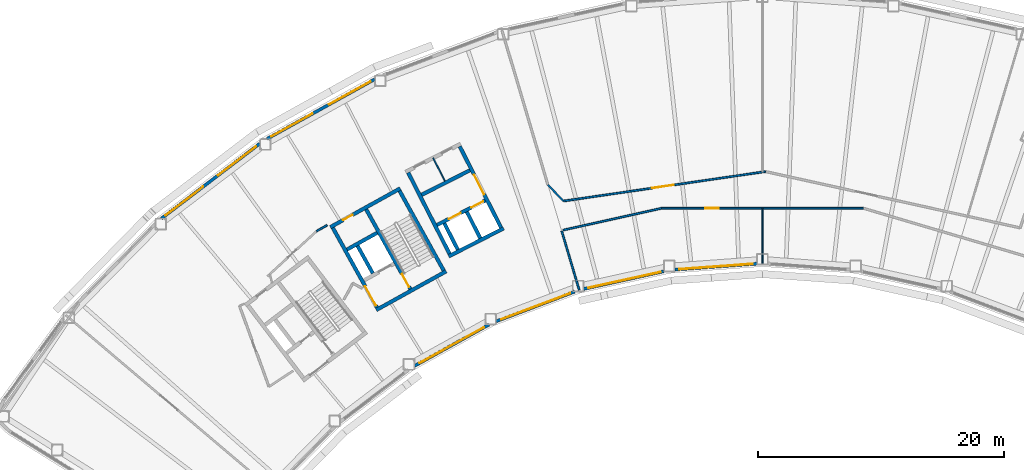
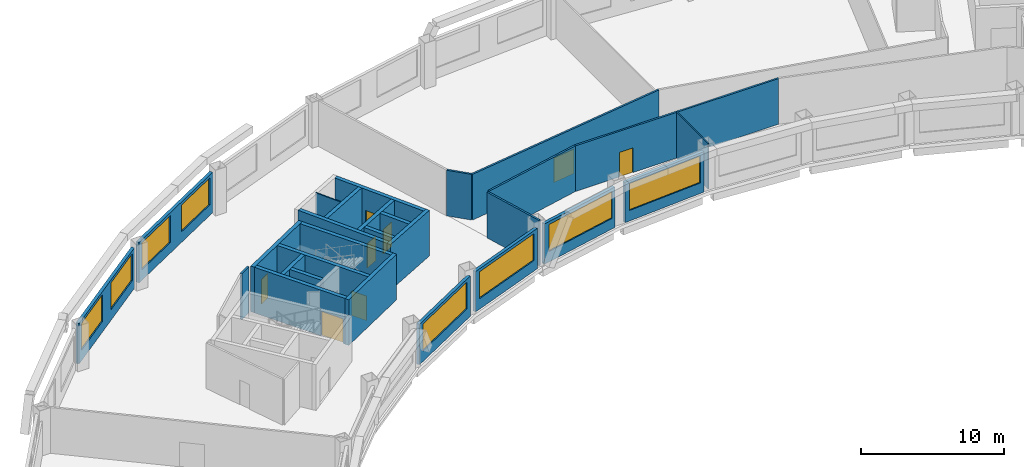
# One storey, part 6 of 12: 28 walls, 8 doors, 8 windows, 16 openings.
"""IFC4 building model written with IfcOpenShell, lengths in metres."""

from ifc_helpers import new_model, si_unit, direction, frame, frame_2d, origin, place, context, subcontext, project, spatial, rectangle, extrude, material, layer, layer_set, type_object, element, fill, save


model = new_model("IFC4")

# Units and contexts
model_context = context("Model", 3, precision=1e-05, world=origin(), true_north=direction((0.0, 1.0)))
body_context = subcontext(model_context, "Body", "Model", "MODEL_VIEW")
ifc_project = project(units=[si_unit("LENGTHUNIT", "METRE"), si_unit("AREAUNIT", "SQUARE_METRE"), si_unit("VOLUMEUNIT", "CUBIC_METRE"), si_unit("PLANEANGLEUNIT", "RADIAN"), si_unit("MASSUNIT", "GRAM", prefix="KILO")], contexts=[model_context])

# Site, building, storey
site_placement = place(None, origin())
site = spatial("IfcSite", under=ifc_project, at=site_placement, CompositionType="ELEMENT")
building_placement = place(site_placement, origin())
building = spatial("IfcBuilding", under=site, at=building_placement, Name="Tuul Gate Civic Tower", CompositionType="ELEMENT")
storey_placement = place(building_placement, frame((0.0, 0.0, 193.10009765625)))
storey = spatial("IfcBuildingStorey", under=building, at=storey_placement, Name="Level 44", CompositionType="ELEMENT", Elevation=193.10009765625)

# Walls
ifc_material_1 = material(Name="Concrete C50/60", Category="concrete")
ifc_layer_1 = layer(ifc_material_1, 0.300048828125)
ifc_layer_set_1 = layer_set([ifc_layer_1], Name="Concrete C50/60")
wall_type_1 = type_object("IfcWallType", Name="Core wall C50/60", PredefinedType="SHEAR", material=ifc_layer_set_1)
wall_1_placement = place(storey_placement, frame((-24.711669921875, -8.7158203125, 0.0), z_axis=(0.0, 0.0, 1.0), x_axis=(-0.874629909008, -0.484791215132, 0.0)))
element("IfcWall", 1, at=wall_1_placement, inside=storey, type_object=wall_type_1, Name="Core wall", PredefinedType="SHEAR", context=body_context, shape_type="SweptSolid", body=[
    extrude(rectangle(XDim=6.5, YDim=0.300048828125, at=frame_2d((3.25, 0.0))), origin(), (0.0, 0.0, 1.0), 3.89990234375),
])
wall_2_placement = place(storey_placement, frame((-30.327392578125, -5.59716796875, 0.0), z_axis=(0.0, 0.0, 1.0), x_axis=(-0.874629840737, -0.484791338301, 0.0)))
element("IfcWall", 2, at=wall_2_placement, inside=storey, type_object=wall_type_1, Name="Core wall", PredefinedType="SHEAR", context=body_context, shape_type="SweptSolid", body=[
    extrude(rectangle(XDim=2.800048828125, YDim=0.300048828125, at=frame_2d((1.39990234375, 0.0))), origin(), (0.0, 0.0, 1.0), 3.89990234375),
])

# Wall, opening, door
wall_3_placement = place(storey_placement, frame((-28.4443359375, -1.98095703125, 0.0), z_axis=(0.0, 0.0, 1.0), x_axis=(-0.874629909008, -0.484791215132, 0.0)))
wall_3 = element("IfcWall", 3, at=wall_3_placement, inside=storey, type_object=wall_type_1, Name="Core wall", PredefinedType="SHEAR", context=body_context, shape_type="SweptSolid", body=[
    extrude(rectangle(XDim=6.5, YDim=0.300048828125, at=frame_2d((3.25, 0.0))), origin(), (0.0, 0.0, 1.0), 3.89990234375),
])
opening_1_placement = place(wall_3_placement, frame((4.425048828125, 0.0, 0.0)))
opening_1 = element("IfcOpeningElement", 4, at=opening_1_placement, cuts=wall_3, Name="Opening P-D13", PredefinedType="OPENING", context=body_context, shape_type="SweptSolid", body=[
    extrude(rectangle(XDim=0.89990234375, YDim=2.10009765625, at=frame_2d((0.449951171875, 1.050048828125))), frame((0.0, 0.16015625, 0.0), z_axis=(0.0, -1.0, 0.0), x_axis=(1.0, 0.0, 0.0)), (0.0, 0.0, 1.0), 0.320068359375),
])
ifc_material_2 = material(Name="Timber door leaf", Category="wood")
door_type_1 = type_object("IfcDoorType", Name="Door D09", OperationType="NOTDEFINED", PredefinedType="DOOR", material=ifc_material_2)
door_1_placement = place(opening_1_placement, origin())
door_1 = element("IfcDoor", 5, at=door_1_placement, inside=storey, type_object=door_type_1, Name="Door P-D13", OperationType="SINGLE_SWING_LEFT", OverallHeight=2.10009765625, OverallWidth=0.89990234375, PredefinedType="DOOR", context=body_context, shape_type="SweptSolid", body=[
    extrude(rectangle(XDim=0.89990234375, YDim=2.10009765625, at=frame_2d((0.449951171875, 1.050048828125))), frame((0.0, 0.02490234375, 0.0), z_axis=(0.0, -1.0, 0.0), x_axis=(1.0, 0.0, 0.0)), (0.0, 0.0, 1.0), 0.050048828125),
])
fill(opening_1, door_1)

# Wall
wall_4_placement = place(storey_placement, frame((-24.91552734375, -8.6572265625, 0.0), z_axis=(0.0, 0.0, 1.0), x_axis=(-0.484777133038, 0.874637714304, 0.0)))
element("IfcWall", 6, at=wall_4_placement, inside=storey, type_object=wall_type_1, Name="Core wall", PredefinedType="SHEAR", context=body_context, shape_type="SweptSolid", body=[
    extrude(rectangle(XDim=7.400146484375, YDim=0.300048828125, at=frame_2d((3.7001953125, 0.0))), origin(), (0.0, 0.0, 1.0), 3.89990234375),
])

# Wall, opening, door
wall_5_placement = place(storey_placement, frame((-27.626953125, -10.16015625, 0.0), z_axis=(0.0, 0.0, 1.0), x_axis=(-0.484751894226, 0.874651702704, 0.0)))
wall_5 = element("IfcWall", 7, at=wall_5_placement, inside=storey, type_object=wall_type_1, Name="Core wall", PredefinedType="SHEAR", context=body_context, shape_type="SweptSolid", body=[
    extrude(rectangle(XDim=7.39990234375, YDim=0.300048828125, at=frame_2d((3.699951171875, 0.0))), origin(), (0.0, 0.0, 1.0), 3.89990234375),
])
opening_2_placement = place(wall_5_placement, frame((0.199951171875, 0.0, 0.0)))
opening_2 = element("IfcOpeningElement", 8, at=opening_2_placement, cuts=wall_5, Name="Opening SD-ST-2", PredefinedType="OPENING", context=body_context, shape_type="SweptSolid", body=[
    extrude(rectangle(XDim=1.199951171875, YDim=2.10009765625, at=frame_2d((0.60009765625, 1.050048828125))), frame((0.0, 0.16015625, 0.0), z_axis=(0.0, -1.0, 0.0), x_axis=(1.0, 0.0, 0.0)), (0.0, 0.0, 1.0), 0.320068359375),
])
ifc_material_3 = material(Name="Steel", Category="steel")
door_type_2 = type_object("IfcDoorType", Name="Stair door", OperationType="NOTDEFINED", PredefinedType="DOOR", material=ifc_material_3)
door_2_placement = place(opening_2_placement, origin())
door_2 = element("IfcDoor", 9, at=door_2_placement, inside=storey, type_object=door_type_2, Name="Stair door ST-2", OperationType="SINGLE_SWING_LEFT", OverallHeight=2.10009765625, OverallWidth=1.199951171875, PredefinedType="DOOR", context=body_context, shape_type="SweptSolid", body=[
    extrude(rectangle(XDim=1.199951171875, YDim=2.10009765625, at=frame_2d((0.60009765625, 1.050048828125))), frame((0.0, 0.02490234375, 0.0), z_axis=(0.0, -1.0, 0.0), x_axis=(1.0, 0.0, 0.0)), (0.0, 0.0, 1.0), 0.050048828125),
])
fill(opening_2, door_2)

# Wall
wall_6_placement = place(storey_placement, frame((-30.680419921875, -8.8798828125, 0.0), z_axis=(0.0, 0.0, 1.0), x_axis=(-0.484724115216, 0.874667097888, 0.0)))
element("IfcWall", 10, at=wall_6_placement, inside=storey, type_object=wall_type_1, Name="Core wall", PredefinedType="SHEAR", context=body_context, shape_type="SweptSolid", body=[
    extrude(rectangle(XDim=2.550048828125, YDim=0.300048828125, at=frame_2d((1.27490234375, 0.0))), origin(), (0.0, 0.0, 1.0), 3.89990234375),
])

# Wall, opening, door
wall_7_placement = place(storey_placement, frame((-30.33837890625, -11.6630859375, 0.0), z_axis=(0.0, 0.0, 1.0), x_axis=(-0.484751894226, 0.874651702704, 0.0)))
wall_7 = element("IfcWall", 11, at=wall_7_placement, inside=storey, type_object=wall_type_1, Name="Core wall", PredefinedType="SHEAR", context=body_context, shape_type="SweptSolid", body=[
    extrude(rectangle(XDim=7.39990234375, YDim=0.300048828125, at=frame_2d((3.699951171875, 0.0))), origin(), (0.0, 0.0, 1.0), 3.89990234375),
])
opening_3_placement = place(wall_7_placement, frame((0.175048828125, 0.0, 0.0)))
opening_3 = element("IfcOpeningElement", 12, at=opening_3_placement, cuts=wall_7, Name="Opening LB-W2-FLOBBY-1", PredefinedType="OPENING", context=body_context, shape_type="SweptSolid", body=[
    extrude(rectangle(XDim=1.800048828125, YDim=2.10009765625, at=frame_2d((0.89990234375, 1.050048828125))), frame((0.0, 0.16015625, 0.0), z_axis=(0.0, -1.0, 0.0), x_axis=(1.0, 0.0, 0.0)), (0.0, 0.0, 1.0), 0.320068359375),
])
ifc_material_4 = material(Name="Steel", Category="steel")
door_type_3 = type_object("IfcDoorType", Name="Lobby door", OperationType="DOUBLE_DOOR_SINGLE_SWING", PredefinedType="DOOR", material=ifc_material_4)
door_3_placement = place(opening_3_placement, origin())
door_3 = element("IfcDoor", 13, at=door_3_placement, inside=storey, type_object=door_type_3, Name="Lobby door W2-FLOBBY", OperationType="DOUBLE_DOOR_SINGLE_SWING", OverallHeight=2.10009765625, OverallWidth=1.800048828125, PredefinedType="DOOR", context=body_context, shape_type="SweptSolid", body=[
    extrude(rectangle(XDim=1.800048828125, YDim=2.10009765625, at=frame_2d((0.89990234375, 1.050048828125))), frame((0.0, 0.02490234375, 0.0), z_axis=(0.0, -1.0, 0.0), x_axis=(1.0, 0.0, 0.0)), (0.0, 0.0, 1.0), 0.050048828125),
])
fill(opening_3, door_3)

ifc_material_5 = material(Name="Gypsum board partition")
ifc_layer_2 = layer(ifc_material_5, 0.14990234375)
ifc_layer_set_2 = layer_set([ifc_layer_2], Name="Gypsum board partition")
wall_type_2 = type_object("IfcWallType", Name="Corridor wall P150", PredefinedType="PARTITIONING", material=ifc_layer_set_2)
wall_8_placement = place(storey_placement, frame((-7.22119140625, -3.59814453125, 0.0), z_axis=(0.0, 0.0, 1.0), x_axis=(0.999999999558, 2.9735797e-05, 0.0)))
wall_8 = element("IfcWall", 14, at=wall_8_placement, inside=storey, type_object=wall_type_2, Name="p014", PredefinedType="PARTITIONING", context=body_context, shape_type="SweptSolid", body=[
    extrude(rectangle(XDim=16.420654296875, YDim=0.14990234375, at=frame_2d((8.21044921875, 0.0))), origin(), (0.0, 0.0, 1.0), 3.89990234375),
])
opening_4_placement = place(wall_8_placement, frame((3.5556640625, 0.0, 0.0)))
opening_4 = element("IfcOpeningElement", 15, at=opening_4_placement, cuts=wall_8, Name="Opening P-D07", PredefinedType="OPENING", context=body_context, shape_type="SweptSolid", body=[
    extrude(rectangle(XDim=1.10009765625, YDim=2.10009765625, at=frame_2d((0.550048828125, 1.050048828125))), frame((0.0, 0.0849609375, 0.0), z_axis=(0.0, -1.0, 0.0), x_axis=(1.0, 0.0, 0.0)), (0.0, 0.0, 1.0), 0.169921875),
])
ifc_material_6 = material(Name="Timber door leaf", Category="wood")
door_type_4 = type_object("IfcDoorType", Name="Door D11", OperationType="NOTDEFINED", PredefinedType="DOOR", material=ifc_material_6)
door_4_placement = place(opening_4_placement, frame((1.10009765625, 0.0, 0.0), z_axis=(0.0, 0.0, 1.0), x_axis=(-1.0, 0.0, 0.0)))
door_4 = element("IfcDoor", 16, at=door_4_placement, inside=storey, type_object=door_type_4, Name="Door P-D07", OperationType="SINGLE_SWING_LEFT", OverallHeight=2.10009765625, OverallWidth=1.10009765625, PredefinedType="DOOR", context=body_context, shape_type="SweptSolid", body=[
    extrude(rectangle(XDim=1.10009765625, YDim=2.10009765625, at=frame_2d((0.550048828125, 1.050048828125))), frame((0.0, 0.02490234375, 0.0), z_axis=(0.0, -1.0, 0.0), x_axis=(1.0, 0.0, 0.0)), (0.0, 0.0, 1.0), 0.050048828125),
])
fill(opening_4, door_4)

wall_9_placement = place(storey_placement, frame((-15.178955078125, -3.010498046875, 0.0), z_axis=(0.0, 0.0, 1.0), x_axis=(0.989534381155, 0.144297292115, 0.0)))
wall_9 = element("IfcWall", 17, at=wall_9_placement, inside=storey, type_object=wall_type_2, Name="p025", PredefinedType="PARTITIONING", context=body_context, shape_type="SweptSolid", body=[
    extrude(rectangle(XDim=16.599609375, YDim=0.14990234375, at=frame_2d((8.2998046875, 0.0))), origin(), (0.0, 0.0, 1.0), 3.89990234375),
])
opening_5_placement = place(wall_9_placement, frame((7.27001953125, 0.0, 0.0)))
opening_5 = element("IfcOpeningElement", 18, at=opening_5_placement, cuts=wall_9, Name="Opening P-D08", PredefinedType="OPENING", context=body_context, shape_type="SweptSolid", body=[
    extrude(rectangle(XDim=1.800048828125, YDim=2.10009765625, at=frame_2d((0.89990234375, 1.050048828125))), frame((0.0, 0.0849609375, 0.0), z_axis=(0.0, -1.0, 0.0), x_axis=(1.0, 0.0, 0.0)), (0.0, 0.0, 1.0), 0.169921875),
])
ifc_material_7 = material(Name="Timber door leaf, double", Category="wood")
door_type_5 = type_object("IfcDoorType", Name="Door D18", OperationType="DOUBLE_DOOR_SINGLE_SWING", PredefinedType="DOOR", material=ifc_material_7)
door_5_placement = place(opening_5_placement, origin())
door_5 = element("IfcDoor", 19, at=door_5_placement, inside=storey, type_object=door_type_5, Name="Door P-D08", OperationType="DOUBLE_DOOR_SINGLE_SWING", OverallHeight=2.10009765625, OverallWidth=1.800048828125, PredefinedType="DOOR", context=body_context, shape_type="SweptSolid", body=[
    extrude(rectangle(XDim=1.800048828125, YDim=2.10009765625, at=frame_2d((0.89990234375, 1.050048828125))), frame((0.0, 0.02490234375, 0.0), z_axis=(0.0, -1.0, 0.0), x_axis=(1.0, 0.0, 0.0)), (0.0, 0.0, 1.0), 0.050048828125),
])
fill(opening_5, door_5)

# Walls
wall_10_placement = place(storey_placement, frame((-15.3232421875, -5.461669921875, 0.0), z_axis=(0.0, 0.0, 1.0), x_axis=(0.285221995485, -0.958461482425, 0.0)))
element("IfcWall", 20, at=wall_10_placement, inside=storey, type_object=wall_type_2, Name="p028", PredefinedType="PARTITIONING", context=body_context, shape_type="SweptSolid", body=[
    extrude(rectangle(XDim=4.985107421875, YDim=0.14990234375, at=frame_2d((2.49267578125, 0.0))), origin(), (0.0, 0.0, 1.0), 3.89990234375),
])
wall_11_placement = place(storey_placement, frame((-15.2099609375, -5.3759765625, 0.0), z_axis=(0.0, 0.0, 1.0), x_axis=(0.976108341033, 0.217284390983, 0.0)))
element("IfcWall", 21, at=wall_11_placement, inside=storey, type_object=wall_type_2, Name="p029", PredefinedType="PARTITIONING", context=body_context, shape_type="SweptSolid", body=[
    extrude(rectangle(XDim=8.1796875, YDim=0.14990234375, at=frame_2d((4.08984375, 0.0))), origin(), (0.0, 0.0, 1.0), 3.89990234375),
])
wall_12_placement = place(storey_placement, frame((-16.4453125, -1.690673828125, 0.0), z_axis=(0.0, 0.0, 1.0), x_axis=(0.688968865463, -0.724790937045, 0.0)))
element("IfcWall", 22, at=wall_12_placement, inside=storey, type_object=wall_type_2, Name="p030", PredefinedType="PARTITIONING", context=body_context, shape_type="SweptSolid", body=[
    extrude(rectangle(XDim=1.81298828125, YDim=0.14990234375, at=frame_2d((0.906494140625, 0.0))), origin(), (0.0, 0.0, 1.0), 3.89990234375),
])
wall_13_placement = place(storey_placement, frame((-35.253173828125, -5.46630859375, 0.0), z_axis=(0.0, 0.0, 1.0), x_axis=(0.866287736438, 0.499545350992, 0.0)))
element("IfcWall", 23, at=wall_13_placement, inside=storey, type_object=wall_type_2, Name="p032", PredefinedType="PARTITIONING", context=body_context, shape_type="SweptSolid", body=[
    extrude(rectangle(XDim=0.99462890625, YDim=0.14990234375, at=frame_2d((0.497314453125, 0.0))), origin(), (0.0, 0.0, 1.0), 3.89990234375),
])

# Wall, openings, windows
ifc_material_8 = material(Name="Precast concrete C40/50", Category="concrete")
ifc_layer_3 = layer(ifc_material_8, 0.25)
ifc_layer_set_3 = layer_set([ifc_layer_3], Name="Precast concrete C40/50")
wall_type_3 = type_object("IfcWallType", Name="External wall", PredefinedType="STANDARD", material=ifc_layer_set_3)
wall_14_placement = place(storey_placement, frame((-30.52392578125, 6.891357421875, 0.0), z_axis=(0.0, 0.0, 1.0), x_axis=(-0.874633566806, -0.484784615903, 0.0)))
wall_14 = element("IfcWall", 24, at=wall_14_placement, inside=storey, type_object=wall_type_3, Name="External wall", PredefinedType="STANDARD", context=body_context, shape_type="SweptSolid", body=[
    extrude(rectangle(XDim=10.001220703125, YDim=0.25, at=frame_2d((5.00048828125, 0.0))), origin(), (0.0, 0.0, 1.0), 3.449951171875),
])
opening_6_placement = place(wall_14_placement, frame((0.39306640625, 0.0, 0.89990234375)))
opening_6 = element("IfcOpeningElement", 25, at=opening_6_placement, cuts=wall_14, Name="Opening W22", PredefinedType="OPENING", context=body_context, shape_type="SweptSolid", body=[
    extrude(rectangle(XDim=3.85009765625, YDim=2.300048828125, at=frame_2d((1.925048828125, 1.14990234375))), frame((0.0, 0.135009765625, 0.0), z_axis=(0.0, -1.0, 0.0), x_axis=(1.0, 0.0, 0.0)), (0.0, 0.0, 1.0), 0.27001953125),
])
opening_7_placement = place(wall_14_placement, frame((5.764404296875, 0.0, 0.89990234375)))
opening_7 = element("IfcOpeningElement", 26, at=opening_7_placement, cuts=wall_14, Name="Opening W22", PredefinedType="OPENING", context=body_context, shape_type="SweptSolid", body=[
    extrude(rectangle(XDim=3.85009765625, YDim=2.300048828125, at=frame_2d((1.925048828125, 1.14990234375))), frame((0.0, 0.135009765625, 0.0), z_axis=(0.0, -1.0, 0.0), x_axis=(1.0, 0.0, 0.0)), (0.0, 0.0, 1.0), 0.27001953125),
])
ifc_material_9 = material(Name="Glass", Category="glass")
window_type_1 = type_object("IfcWindowType", Name="Window W22 3850 x 2300", PartitioningType="SINGLE_PANEL", PredefinedType="WINDOW", material=ifc_material_9)
window_1_placement = place(opening_6_placement, origin())
window_1 = element("IfcWindow", 27, at=window_1_placement, inside=storey, type_object=window_type_1, Name="Window", OverallHeight=2.300048828125, OverallWidth=3.85009765625, PartitioningType="SINGLE_PANEL", PredefinedType="WINDOW", context=body_context, shape_type="SweptSolid", body=[
    extrude(rectangle(XDim=3.85009765625, YDim=2.300048828125, at=frame_2d((1.925048828125, 1.14990234375))), frame((0.0, 0.030029296875, 0.0), z_axis=(0.0, -1.0, 0.0), x_axis=(1.0, 0.0, 0.0)), (0.0, 0.0, 1.0), 0.06005859375),
])
fill(opening_6, window_1)
window_2_placement = place(opening_7_placement, origin())
window_2 = element("IfcWindow", 28, at=window_2_placement, inside=storey, type_object=window_type_1, Name="Window", OverallHeight=2.300048828125, OverallWidth=3.85009765625, PartitioningType="SINGLE_PANEL", PredefinedType="WINDOW", context=body_context, shape_type="SweptSolid", body=[
    extrude(rectangle(XDim=3.85009765625, YDim=2.300048828125, at=frame_2d((1.925048828125, 1.14990234375))), frame((0.0, 0.030029296875, 0.0), z_axis=(0.0, -1.0, 0.0), x_axis=(1.0, 0.0, 0.0)), (0.0, 0.0, 1.0), 0.06005859375),
])
fill(opening_7, window_2)

wall_15_placement = place(storey_placement, frame((-39.862060546875, 1.659423828125, 0.0), z_axis=(0.0, 0.0, 1.0), x_axis=(-0.795600211162, -0.605822006862, 0.0)))
wall_15 = element("IfcWall", 29, at=wall_15_placement, inside=storey, type_object=wall_type_3, Name="External wall", PredefinedType="STANDARD", context=body_context, shape_type="SweptSolid", body=[
    extrude(rectangle(XDim=10.043212890625, YDim=0.25, at=frame_2d((5.021484375, 0.0))), origin(), (0.0, 0.0, 1.0), 3.449951171875),
])
opening_8_placement = place(wall_15_placement, frame((0.410400390625, 0.0, 0.89990234375)))
opening_8 = element("IfcOpeningElement", 30, at=opening_8_placement, cuts=wall_15, Name="Opening W22", PredefinedType="OPENING", context=body_context, shape_type="SweptSolid", body=[
    extrude(rectangle(XDim=3.85009765625, YDim=2.300048828125, at=frame_2d((1.925048828125, 1.14990234375))), frame((0.0, 0.135009765625, 0.0), z_axis=(0.0, -1.0, 0.0), x_axis=(1.0, 0.0, 0.0)), (0.0, 0.0, 1.0), 0.27001953125),
])
opening_9_placement = place(wall_15_placement, frame((5.78173828125, 0.0, 0.89990234375)))
opening_9 = element("IfcOpeningElement", 31, at=opening_9_placement, cuts=wall_15, Name="Opening W22", PredefinedType="OPENING", context=body_context, shape_type="SweptSolid", body=[
    extrude(rectangle(XDim=3.85009765625, YDim=2.300048828125, at=frame_2d((1.925048828125, 1.14990234375))), frame((0.0, 0.135009765625, 0.0), z_axis=(0.0, -1.0, 0.0), x_axis=(1.0, 0.0, 0.0)), (0.0, 0.0, 1.0), 0.27001953125),
])
window_3_placement = place(opening_8_placement, origin())
window_3 = element("IfcWindow", 32, at=window_3_placement, inside=storey, type_object=window_type_1, Name="Window", OverallHeight=2.300048828125, OverallWidth=3.85009765625, PartitioningType="SINGLE_PANEL", PredefinedType="WINDOW", context=body_context, shape_type="SweptSolid", body=[
    extrude(rectangle(XDim=3.85009765625, YDim=2.300048828125, at=frame_2d((1.925048828125, 1.14990234375))), frame((0.0, 0.030029296875, 0.0), z_axis=(0.0, -1.0, 0.0), x_axis=(1.0, 0.0, 0.0)), (0.0, 0.0, 1.0), 0.06005859375),
])
fill(opening_8, window_3)
window_4_placement = place(opening_9_placement, origin())
window_4 = element("IfcWindow", 33, at=window_4_placement, inside=storey, type_object=window_type_1, Name="Window", OverallHeight=2.300048828125, OverallWidth=3.85009765625, PartitioningType="SINGLE_PANEL", PredefinedType="WINDOW", context=body_context, shape_type="SweptSolid", body=[
    extrude(rectangle(XDim=3.85009765625, YDim=2.300048828125, at=frame_2d((1.925048828125, 1.14990234375))), frame((0.0, 0.030029296875, 0.0), z_axis=(0.0, -1.0, 0.0), x_axis=(1.0, 0.0, 0.0)), (0.0, 0.0, 1.0), 0.06005859375),
])
fill(opening_9, window_4)

# Wall, opening, window
wall_16_placement = place(storey_placement, frame((-27.287109375, -16.41064453125, 0.0), z_axis=(0.0, 0.0, 1.0), x_axis=(0.874626480016, 0.484797401452, 0.0)))
wall_16 = element("IfcWall", 34, at=wall_16_placement, inside=storey, type_object=wall_type_3, Name="External wall", PredefinedType="STANDARD", context=body_context, shape_type="SweptSolid", body=[
    extrude(rectangle(XDim=6.915283203125, YDim=0.25, at=frame_2d((3.45751953125, 0.0))), origin(), (0.0, 0.0, 1.0), 3.449951171875),
])
opening_10_placement = place(wall_16_placement, frame((0.4619140625, 0.0, 0.89990234375)))
opening_10 = element("IfcOpeningElement", 35, at=opening_10_placement, cuts=wall_16, Name="Opening W26", PredefinedType="OPENING", context=body_context, shape_type="SweptSolid", body=[
    extrude(rectangle(XDim=6.0, YDim=2.300048828125, at=frame_2d((3.0, 1.14990234375))), frame((0.0, 0.135009765625, 0.0), z_axis=(0.0, -1.0, 0.0), x_axis=(1.0, 0.0, 0.0)), (0.0, 0.0, 1.0), 0.27001953125),
])
ifc_material_10 = material(Name="Glass", Category="glass")
window_type_2 = type_object("IfcWindowType", Name="Window W26 6000 x 2300", PartitioningType="SINGLE_PANEL", PredefinedType="WINDOW", material=ifc_material_10)
window_5_placement = place(opening_10_placement, origin())
window_5 = element("IfcWindow", 36, at=window_5_placement, inside=storey, type_object=window_type_2, Name="Window", OverallHeight=2.300048828125, OverallWidth=6.0, PartitioningType="SINGLE_PANEL", PredefinedType="WINDOW", context=body_context, shape_type="SweptSolid", body=[
    extrude(rectangle(XDim=6.0, YDim=2.300048828125, at=frame_2d((3.0, 1.14990234375))), frame((0.0, 0.030029296875, 0.0), z_axis=(0.0, -1.0, 0.0), x_axis=(1.0, 0.0, 0.0)), (0.0, 0.0, 1.0), 0.06005859375),
])
fill(opening_10, window_5)

wall_17_placement = place(storey_placement, frame((-20.64697265625, -12.78515625, 0.0), z_axis=(0.0, 0.0, 1.0), x_axis=(0.935360534404, 0.353695731779, 0.0)))
wall_17 = element("IfcWall", 37, at=wall_17_placement, inside=storey, type_object=wall_type_3, Name="External wall", PredefinedType="STANDARD", context=body_context, shape_type="SweptSolid", body=[
    extrude(rectangle(XDim=6.81982421875, YDim=0.25, at=frame_2d((3.409912109375, 0.0))), origin(), (0.0, 0.0, 1.0), 3.449951171875),
])
opening_11_placement = place(wall_17_placement, frame((0.43798828125, 0.0, 0.89990234375)))
opening_11 = element("IfcOpeningElement", 38, at=opening_11_placement, cuts=wall_17, Name="Opening W26", PredefinedType="OPENING", context=body_context, shape_type="SweptSolid", body=[
    extrude(rectangle(XDim=6.0, YDim=2.300048828125, at=frame_2d((3.0, 1.14990234375))), frame((0.0, 0.135009765625, 0.0), z_axis=(0.0, -1.0, 0.0), x_axis=(1.0, 0.0, 0.0)), (0.0, 0.0, 1.0), 0.27001953125),
])
window_6_placement = place(opening_11_placement, origin())
window_6 = element("IfcWindow", 39, at=window_6_placement, inside=storey, type_object=window_type_2, Name="Window", OverallHeight=2.300048828125, OverallWidth=6.0, PartitioningType="SINGLE_PANEL", PredefinedType="WINDOW", context=body_context, shape_type="SweptSolid", body=[
    extrude(rectangle(XDim=6.0, YDim=2.300048828125, at=frame_2d((3.0, 1.14990234375))), frame((0.0, 0.030029296875, 0.0), z_axis=(0.0, -1.0, 0.0), x_axis=(1.0, 0.0, 0.0)), (0.0, 0.0, 1.0), 0.06005859375),
])
fill(opening_11, window_6)

wall_18_placement = place(storey_placement, frame((-13.5458984375, -10.15625, 0.0), z_axis=(0.0, 0.0, 1.0), x_axis=(0.976558520258, 0.21525207667, 0.0)))
wall_18 = element("IfcWall", 40, at=wall_18_placement, inside=storey, type_object=wall_type_3, Name="External wall", PredefinedType="STANDARD", context=body_context, shape_type="SweptSolid", body=[
    extrude(rectangle(XDim=6.670166015625, YDim=0.25, at=frame_2d((3.3349609375, 0.0))), origin(), (0.0, 0.0, 1.0), 3.449951171875),
])
opening_12_placement = place(wall_18_placement, frame((0.406982421875, 0.0, 0.89990234375)))
opening_12 = element("IfcOpeningElement", 41, at=opening_12_placement, cuts=wall_18, Name="Opening W26", PredefinedType="OPENING", context=body_context, shape_type="SweptSolid", body=[
    extrude(rectangle(XDim=6.0, YDim=2.300048828125, at=frame_2d((3.0, 1.14990234375))), frame((0.0, 0.135009765625, 0.0), z_axis=(0.0, -1.0, 0.0), x_axis=(1.0, 0.0, 0.0)), (0.0, 0.0, 1.0), 0.27001953125),
])
window_7_placement = place(opening_12_placement, origin())
window_7 = element("IfcWindow", 42, at=window_7_placement, inside=storey, type_object=window_type_2, Name="Window", OverallHeight=2.300048828125, OverallWidth=6.0, PartitioningType="SINGLE_PANEL", PredefinedType="WINDOW", context=body_context, shape_type="SweptSolid", body=[
    extrude(rectangle(XDim=6.0, YDim=2.300048828125, at=frame_2d((3.0, 1.14990234375))), frame((0.0, 0.030029296875, 0.0), z_axis=(0.0, -1.0, 0.0), x_axis=(1.0, 0.0, 0.0)), (0.0, 0.0, 1.0), 0.06005859375),
])
fill(opening_12, window_7)

wall_19_placement = place(storey_placement, frame((-6.132080078125, -8.581787109375, 0.0), z_axis=(0.0, 0.0, 1.0), x_axis=(0.99738574908, 0.072261106633, 0.0)))
wall_19 = element("IfcWall", 43, at=wall_19_placement, inside=storey, type_object=wall_type_3, Name="External wall", PredefinedType="STANDARD", context=body_context, shape_type="SweptSolid", body=[
    extrude(rectangle(XDim=6.689697265625, YDim=0.25, at=frame_2d((3.3447265625, 0.0))), origin(), (0.0, 0.0, 1.0), 3.449951171875),
])
opening_13_placement = place(wall_19_placement, frame((0.3681640625, 0.0, 0.89990234375)))
opening_13 = element("IfcOpeningElement", 44, at=opening_13_placement, cuts=wall_19, Name="Opening W26", PredefinedType="OPENING", context=body_context, shape_type="SweptSolid", body=[
    extrude(rectangle(XDim=6.0, YDim=2.300048828125, at=frame_2d((3.0, 1.14990234375))), frame((0.0, 0.135009765625, 0.0), z_axis=(0.0, -1.0, 0.0), x_axis=(1.0, 0.0, 0.0)), (0.0, 0.0, 1.0), 0.27001953125),
])
window_8_placement = place(opening_13_placement, origin())
window_8 = element("IfcWindow", 45, at=window_8_placement, inside=storey, type_object=window_type_2, Name="Window", OverallHeight=2.300048828125, OverallWidth=6.0, PartitioningType="SINGLE_PANEL", PredefinedType="WINDOW", context=body_context, shape_type="SweptSolid", body=[
    extrude(rectangle(XDim=6.0, YDim=2.300048828125, at=frame_2d((3.0, 1.14990234375))), frame((0.0, 0.030029296875, 0.0), z_axis=(0.0, -1.0, 0.0), x_axis=(1.0, 0.0, 0.0)), (0.0, 0.0, 1.0), 0.06005859375),
])
fill(opening_13, window_8)

# Wall
ifc_material_11 = material(Name="Concrete C40/50", Category="concrete")
ifc_layer_4 = layer(ifc_material_11, 0.300048828125)
ifc_layer_set_4 = layer_set([ifc_layer_4], Name="Concrete C40/50")
wall_type_4 = type_object("IfcWallType", Name="Lift shaft wall C40/50", PredefinedType="STANDARD", material=ifc_layer_set_4)
wall_20_placement = place(storey_placement, frame((-20.049072265625, -5.232421875, 0.0), z_axis=(0.0, 0.0, 1.0), x_axis=(-0.891002976909, -0.453997461601, 0.0)))
element("IfcWall", 46, at=wall_20_placement, inside=storey, type_object=wall_type_4, Name="Shaft wall", PredefinedType="STANDARD", context=body_context, shape_type="SweptSolid", body=[
    extrude(rectangle(XDim=5.0, YDim=0.300048828125, at=frame_2d((2.5, 0.0))), origin(), (0.0, 0.0, 1.0), 3.89990234375),
])

# Wall, openings, doors
wall_21_placement = place(storey_placement, frame((-21.542236328125, -2.962890625, 0.0), z_axis=(0.0, 0.0, 1.0), x_axis=(-0.891005618941, -0.453992276384, 0.0)))
wall_21 = element("IfcWall", 47, at=wall_21_placement, inside=storey, type_object=wall_type_4, Name="Shaft wall", PredefinedType="STANDARD", context=body_context, shape_type="SweptSolid", body=[
    extrude(rectangle(XDim=4.39990234375, YDim=0.300048828125, at=frame_2d((2.199951171875, 0.0))), origin(), (0.0, 0.0, 1.0), 3.89990234375),
])
opening_14_placement = place(wall_21_placement, frame((0.175048828125, 0.0, 0.0)))
opening_14 = element("IfcOpeningElement", 48, at=opening_14_placement, cuts=wall_21, Name="Opening LD-M1", PredefinedType="OPENING", context=body_context, shape_type="SweptSolid", body=[
    extrude(rectangle(XDim=1.10009765625, YDim=2.10009765625, at=frame_2d((0.550048828125, 1.050048828125))), frame((0.0, 0.16015625, 0.0), z_axis=(0.0, -1.0, 0.0), x_axis=(1.0, 0.0, 0.0)), (0.0, 0.0, 1.0), 0.320068359375),
])
opening_15_placement = place(wall_21_placement, frame((2.22509765625, 0.0, 0.0)))
opening_15 = element("IfcOpeningElement", 49, at=opening_15_placement, cuts=wall_21, Name="Opening LD-M2", PredefinedType="OPENING", context=body_context, shape_type="SweptSolid", body=[
    extrude(rectangle(XDim=1.10009765625, YDim=2.10009765625, at=frame_2d((0.550048828125, 1.050048828125))), frame((0.0, 0.16015625, 0.0), z_axis=(0.0, -1.0, 0.0), x_axis=(1.0, 0.0, 0.0)), (0.0, 0.0, 1.0), 0.320068359375),
])
ifc_material_12 = material(Name="Stainless steel", Category="steel")
door_type_6 = type_object("IfcDoorType", Name="Landing door", OperationType="DOUBLE_DOOR_SLIDING", PredefinedType="DOOR", material=ifc_material_12)
door_6_placement = place(opening_14_placement, origin())
door_6 = element("IfcDoor", 50, at=door_6_placement, inside=storey, type_object=door_type_6, Name="Mid-rise lift M1 landing door", OperationType="DOUBLE_DOOR_SLIDING", OverallHeight=2.10009765625, OverallWidth=1.10009765625, PredefinedType="DOOR", context=body_context, shape_type="SweptSolid", body=[
    extrude(rectangle(XDim=1.10009765625, YDim=2.10009765625, at=frame_2d((0.550048828125, 1.050048828125))), frame((0.0, 0.02490234375, 0.0), z_axis=(0.0, -1.0, 0.0), x_axis=(1.0, 0.0, 0.0)), (0.0, 0.0, 1.0), 0.050048828125),
])
fill(opening_14, door_6)
door_7_placement = place(opening_15_placement, origin())
door_7 = element("IfcDoor", 51, at=door_7_placement, inside=storey, type_object=door_type_6, Name="Mid-rise lift M2 landing door", OperationType="DOUBLE_DOOR_SLIDING", OverallHeight=2.10009765625, OverallWidth=1.10009765625, PredefinedType="DOOR", context=body_context, shape_type="SweptSolid", body=[
    extrude(rectangle(XDim=1.10009765625, YDim=2.10009765625, at=frame_2d((0.550048828125, 1.050048828125))), frame((0.0, 0.02490234375, 0.0), z_axis=(0.0, -1.0, 0.0), x_axis=(1.0, 0.0, 0.0)), (0.0, 0.0, 1.0), 0.050048828125),
])
fill(opening_15, door_7)

# Wall
wall_22_placement = place(storey_placement, frame((-22.790771484375, -0.5126953125, 0.0), z_axis=(0.0, 0.0, 1.0), x_axis=(-0.891005618941, -0.453992276384, 0.0)))
element("IfcWall", 52, at=wall_22_placement, inside=storey, type_object=wall_type_4, Name="Shaft wall", PredefinedType="STANDARD", context=body_context, shape_type="SweptSolid", body=[
    extrude(rectangle(XDim=4.39990234375, YDim=0.300048828125, at=frame_2d((2.199951171875, 0.0))), origin(), (0.0, 0.0, 1.0), 3.89990234375),
])

# Wall, opening, door
wall_23_placement = place(storey_placement, frame((-20.2509765625, -5.166748046875, 0.0), z_axis=(0.0, 0.0, 1.0), x_axis=(-0.45401029361, 0.89099643843, 0.0)))
wall_23 = element("IfcWall", 53, at=wall_23_placement, inside=storey, type_object=wall_type_4, Name="Shaft wall", PredefinedType="STANDARD", context=body_context, shape_type="SweptSolid", body=[
    extrude(rectangle(XDim=7.39990234375, YDim=0.300048828125, at=frame_2d((3.699951171875, 0.0))), origin(), (0.0, 0.0, 1.0), 3.89990234375),
])
opening_16_placement = place(wall_23_placement, frame((3.02490234375, 0.0, 0.0)))
opening_16 = element("IfcOpeningElement", 54, at=opening_16_placement, cuts=wall_23, Name="Opening LB-W3-LOBBY-1", PredefinedType="OPENING", context=body_context, shape_type="SweptSolid", body=[
    extrude(rectangle(XDim=1.800048828125, YDim=2.10009765625, at=frame_2d((0.89990234375, 1.050048828125))), frame((0.0, 0.16015625, 0.0), z_axis=(0.0, -1.0, 0.0), x_axis=(1.0, 0.0, 0.0)), (0.0, 0.0, 1.0), 0.320068359375),
])
door_8_placement = place(opening_16_placement, origin())
door_8 = element("IfcDoor", 55, at=door_8_placement, inside=storey, type_object=door_type_3, Name="Lobby door W3-LOBBY", OperationType="DOUBLE_DOOR_SINGLE_SWING", OverallHeight=2.10009765625, OverallWidth=1.800048828125, PredefinedType="DOOR", context=body_context, shape_type="SweptSolid", body=[
    extrude(rectangle(XDim=1.800048828125, YDim=2.10009765625, at=frame_2d((0.89990234375, 1.050048828125))), frame((0.0, 0.02490234375, 0.0), z_axis=(0.0, -1.0, 0.0), x_axis=(1.0, 0.0, 0.0)), (0.0, 0.0, 1.0), 0.050048828125),
])
fill(opening_16, door_8)

# Walls
for number, where, z_axis, x_axis, name in (
    (56, (-21.94384765625, -6.029296875, 0.0), (0.0, 0.0, 1.0), (-0.45403702923, 0.890982814698, 0.0), "Shaft wall"),
    (57, (-23.770263671875, -6.960205078125, 0.0), (0.0, 0.0, 1.0), (-0.45399587725, 0.891003784189, 0.0), "Shaft wall"),
):
    element("IfcWall", number, at=place(storey_placement, frame(where, z_axis=z_axis, x_axis=x_axis)), inside=storey, type_object=wall_type_4, Name=name, PredefinedType="STANDARD", context=body_context, shape_type="SweptSolid", body=[
        extrude(rectangle(XDim=2.39990234375, YDim=0.300048828125, at=frame_2d((1.199951171875, 0.0))), origin(), (0.0, 0.0, 1.0), 3.89990234375),
    ])
wall_24_placement = place(storey_placement, frame((-24.438720703125, -7.300537109375, 0.0), z_axis=(0.0, 0.0, 1.0), x_axis=(-0.453984101083, 0.891009784438, 0.0)))
element("IfcWall", 58, at=wall_24_placement, inside=storey, type_object=wall_type_4, Name="Shaft wall", PredefinedType="STANDARD", context=body_context, shape_type="SweptSolid", body=[
    extrude(rectangle(XDim=7.399658203125, YDim=0.300048828125, at=frame_2d((3.69970703125, 0.0))), origin(), (0.0, 0.0, 1.0), 3.89990234375),
])
ifc_material_13 = material(Name="Gypsum board partition")
ifc_layer_5 = layer(ifc_material_13, 0.10009765625)
ifc_layer_set_5 = layer_set([ifc_layer_5], Name="Gypsum board partition")
wall_type_5 = type_object("IfcWallType", Name="Partition P100", PredefinedType="PARTITIONING", material=ifc_layer_set_5)
wall_25_placement = place(storey_placement, frame((0.989990234375, -8.07080078125, 0.0), z_axis=(0.0, 0.0, 1.0), x_axis=(0.0, 1.0, 0.0)))
element("IfcWall", 59, at=wall_25_placement, inside=storey, type_object=wall_type_5, Name="p012", PredefinedType="PARTITIONING", context=body_context, shape_type="SweptSolid", body=[
    extrude(rectangle(XDim=4.472900390625, YDim=0.10009765625, at=frame_2d((2.236328125, 0.0))), origin(), (0.0, 0.0, 1.0), 3.89990234375),
])
wall_26_placement = place(storey_placement, frame((-24.819091796875, -1.377685546875, 0.0), z_axis=(0.0, 0.0, 1.0), x_axis=(-0.453990218702, 0.891006667384, 0.0)))
element("IfcWall", 60, at=wall_26_placement, inside=storey, type_object=wall_type_5, Name="bW3-BAND-0", PredefinedType="PARTITIONING", context=body_context, shape_type="SweptSolid", body=[
    extrude(rectangle(XDim=2.10009765625, YDim=0.10009765625, at=frame_2d((1.050048828125, 0.0))), origin(), (0.0, 0.0, 1.0), 3.89990234375),
])

save(model, "model.ifc")
